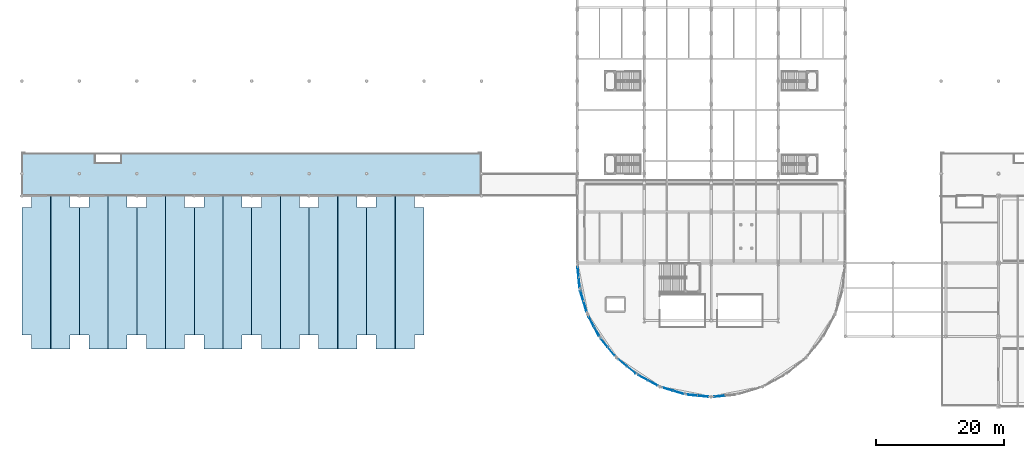
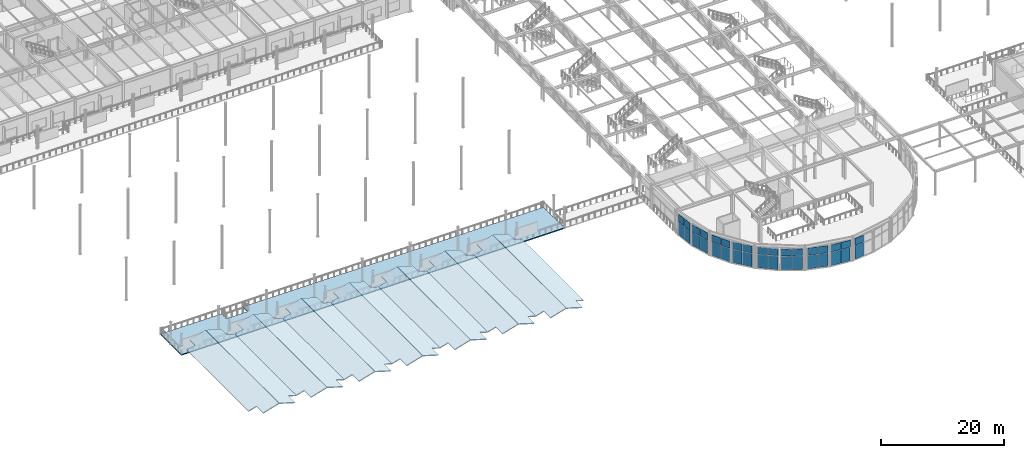
# One storey, part 71 of 143: 34 plates, 15 slabs, 9 elements without a shape of their own.
"""IFC4 building model written with IfcOpenShell, lengths in metres."""

from ifc_helpers import new_model, si_unit, direction, frame, origin, origin_2d, place, context, subcontext, project, spatial, polyline, rectangle, outline, extrude, material, layer, layer_set, type_object, element, aggregate, save


model = new_model("IFC4")

# Units and contexts
model_context = context("Model", 3, precision=1e-05, world=origin(), true_north=direction((0.0, 1.0)))
body_context = subcontext(model_context, "Body", "Model", "MODEL_VIEW")
ifc_project = project(units=[si_unit("LENGTHUNIT", "METRE"), si_unit("AREAUNIT", "SQUARE_METRE"), si_unit("VOLUMEUNIT", "CUBIC_METRE"), si_unit("PLANEANGLEUNIT", "RADIAN"), si_unit("MASSUNIT", "GRAM", prefix="KILO")], contexts=[model_context])

# Site, building, storey
site_placement = place(None, origin())
site = spatial("IfcSite", under=ifc_project, at=site_placement, CompositionType="ELEMENT")
building_placement = place(site_placement, origin())
building = spatial("IfcBuilding", under=site, at=building_placement, Name="Marlcrest Central Station", CompositionType="ELEMENT")
storey_placement = place(building_placement, frame((0.0, 0.0, 4.800048828125)))
storey = spatial("IfcBuildingStorey", under=building, at=storey_placement, Name="L01", CompositionType="ELEMENT", Elevation=4.800048828125)

# Curtain wall, plates
ifc_material_1 = material(Name="Anodised aluminium and hurricane laminated glass", Category="aluminium")
ifc_layer_1 = layer(ifc_material_1, 0.219970703125, Name="CW-U1")
ifc_layer_set_1 = layer_set([ifc_layer_1], Name="Anodised aluminium and hurricane laminated glass")
curtain_wall_type = type_object("IfcCurtainWallType", Name="CW-U1", PredefinedType="USERDEFINED", material=ifc_layer_set_1)
curtain_wall_1_placement = place(storey_placement, origin())
curtain_wall_1 = element("IfcCurtainWall", 1, at=curtain_wall_1_placement, inside=storey, type_object=curtain_wall_type, Name="cw-L01-0009", ObjectType="UNITISED_CURTAIN_WALL", PredefinedType="USERDEFINED")
ifc_material_2 = material(Name="Hurricane laminated solar-control glass", Category="glass")
ifc_layer_2 = layer(ifc_material_2, 0.031982421875, Name="CP-01")
ifc_layer_set_2 = layer_set([ifc_layer_2], Name="Hurricane laminated solar-control glass")
plate_type_1 = type_object("IfcPlateType", Name="CP-01", PredefinedType="CURTAIN_PANEL", material=ifc_layer_set_2)
plate_1_placement = place(storey_placement, frame((87.302490234375, 19.431396484375, 0.080078125), z_axis=(0.0, 0.0, 1.0), x_axis=(-0.098138724349, 0.995172744192, 0.0)))
plate_1 = element("IfcPlate", 2, at=plate_1_placement, type_object=plate_type_1, Name="cw-L01-0009-cp-lo-0", PredefinedType="CURTAIN_PANEL", context=body_context, shape_type="SweptSolid", body=[
    extrude(rectangle(XDim=1.5791015625, YDim=0.031982421875, at=origin_2d()), origin(), (0.0, 0.0, 1.0), 2.675048828125),
])
plate_2_placement = place(storey_placement, frame((87.14013671875, 21.07861328125, 0.080078125), z_axis=(0.0, 0.0, 1.0), x_axis=(-0.098138724349, 0.995172744192, 0.0)))
plate_2 = element("IfcPlate", 3, at=plate_2_placement, type_object=plate_type_1, Name="cw-L01-0009-cp-lo-1", PredefinedType="CURTAIN_PANEL", context=body_context, shape_type="SweptSolid", body=[
    extrude(rectangle(XDim=1.5791015625, YDim=0.031982421875, at=origin_2d()), origin(), (0.0, 0.0, 1.0), 2.675048828125),
])

curtain_wall_2_placement = place(storey_placement, origin())
curtain_wall_2 = element("IfcCurtainWall", 4, at=curtain_wall_2_placement, inside=storey, type_object=curtain_wall_type, Name="cw-L01-0010", ObjectType="UNITISED_CURTAIN_WALL", PredefinedType="USERDEFINED")
plate_3_placement = place(storey_placement, frame((88.227294921875, 15.689453125, 0.080078125), z_axis=(0.0, 0.0, 1.0), x_axis=(-0.290318080597, 0.956930202302, 0.0)))
plate_3 = element("IfcPlate", 5, at=plate_3_placement, type_object=plate_type_1, Name="cw-L01-0010-cp-lo-0", PredefinedType="CURTAIN_PANEL", context=body_context, shape_type="SweptSolid", body=[
    extrude(rectangle(XDim=1.67724609375, YDim=0.031982421875, at=origin_2d()), origin(), (0.0, 0.0, 1.0), 2.675048828125),
])
plate_4_placement = place(storey_placement, frame((87.71826171875, 17.3671875, 0.080078125), z_axis=(0.0, 0.0, 1.0), x_axis=(-0.290318080597, 0.956930202302, 0.0)))
plate_4 = element("IfcPlate", 6, at=plate_4_placement, type_object=plate_type_1, Name="cw-L01-0010-cp-lo-1", PredefinedType="CURTAIN_PANEL", context=body_context, shape_type="SweptSolid", body=[
    extrude(rectangle(XDim=1.67724609375, YDim=0.031982421875, at=origin_2d()), origin(), (0.0, 0.0, 1.0), 2.675048828125),
])

curtain_wall_3_placement = place(storey_placement, origin())
curtain_wall_3 = element("IfcCurtainWall", 7, at=curtain_wall_3_placement, inside=storey, type_object=curtain_wall_type, Name="cw-L01-0011", ObjectType="UNITISED_CURTAIN_WALL", PredefinedType="USERDEFINED")
plate_5_placement = place(storey_placement, frame((90.02880859375, 11.787841796875, 0.080078125), z_axis=(0.0, 0.0, 1.0), x_axis=(-0.471242805349, 0.882003525167, 0.0)))
plate_5 = element("IfcPlate", 8, at=plate_5_placement, type_object=plate_type_1, Name="cw-L01-0011-cp-lo-0", PredefinedType="CURTAIN_PANEL", context=body_context, shape_type="SweptSolid", body=[
    extrude(rectangle(XDim=1.677490234375, YDim=0.031982421875, at=origin_2d()), origin(), (0.0, 0.0, 1.0), 2.675048828125),
])
plate_6_placement = place(storey_placement, frame((89.20263671875, 13.33447265625, 0.080078125), z_axis=(0.0, 0.0, 1.0), x_axis=(-0.471242805349, 0.882003525167, 0.0)))
plate_6 = element("IfcPlate", 9, at=plate_6_placement, type_object=plate_type_1, Name="cw-L01-0011-cp-lo-1", PredefinedType="CURTAIN_PANEL", context=body_context, shape_type="SweptSolid", body=[
    extrude(rectangle(XDim=1.677490234375, YDim=0.031982421875, at=origin_2d()), origin(), (0.0, 0.0, 1.0), 2.675048828125),
])

curtain_wall_4_placement = place(storey_placement, origin())
curtain_wall_4 = element("IfcCurtainWall", 10, at=curtain_wall_4_placement, inside=storey, type_object=curtain_wall_type, Name="cw-L01-0012", ObjectType="UNITISED_CURTAIN_WALL", PredefinedType="USERDEFINED")
plate_7_placement = place(storey_placement, frame((92.33837890625, 8.640869140625, 0.080078125), z_axis=(0.0, 0.0, 1.0), x_axis=(-0.63447423015, 0.772944015615, 0.0)))
plate_7 = element("IfcPlate", 11, at=plate_7_placement, type_object=plate_type_1, Name="cw-L01-0012-cp-lo-0", PredefinedType="CURTAIN_PANEL", context=body_context, shape_type="SweptSolid", body=[
    extrude(rectangle(XDim=1.677490234375, YDim=0.031982421875, at=origin_2d()), origin(), (0.0, 0.0, 1.0), 2.675048828125),
])
plate_8_placement = place(storey_placement, frame((91.225830078125, 9.99609375, 0.080078125), z_axis=(0.0, 0.0, 1.0), x_axis=(-0.63447423015, 0.772944015615, 0.0)))
plate_8 = element("IfcPlate", 12, at=plate_8_placement, type_object=plate_type_1, Name="cw-L01-0012-cp-lo-1", PredefinedType="CURTAIN_PANEL", context=body_context, shape_type="SweptSolid", body=[
    extrude(rectangle(XDim=1.677490234375, YDim=0.031982421875, at=origin_2d()), origin(), (0.0, 0.0, 1.0), 2.675048828125),
])

curtain_wall_5_placement = place(storey_placement, origin())
curtain_wall_5 = element("IfcCurtainWall", 13, at=curtain_wall_5_placement, inside=storey, type_object=curtain_wall_type, Name="cw-L01-0013", ObjectType="UNITISED_CURTAIN_WALL", PredefinedType="USERDEFINED")
plate_9_placement = place(storey_placement, frame((95.49609375, 5.725830078125, 0.080078125), z_axis=(0.0, 0.0, 1.0), x_axis=(-0.772944015615, 0.63447423015, 0.0)))
plate_9 = element("IfcPlate", 14, at=plate_9_placement, type_object=plate_type_1, Name="cw-L01-0013-cp-lo-0", PredefinedType="CURTAIN_PANEL", context=body_context, shape_type="SweptSolid", body=[
    extrude(rectangle(XDim=1.677490234375, YDim=0.031982421875, at=origin_2d()), origin(), (0.0, 0.0, 1.0), 2.675048828125),
])
plate_10_placement = place(storey_placement, frame((94.140869140625, 6.83837890625, 0.080078125), z_axis=(0.0, 0.0, 1.0), x_axis=(-0.772944015615, 0.63447423015, 0.0)))
plate_10 = element("IfcPlate", 15, at=plate_10_placement, type_object=plate_type_1, Name="cw-L01-0013-cp-lo-1", PredefinedType="CURTAIN_PANEL", context=body_context, shape_type="SweptSolid", body=[
    extrude(rectangle(XDim=1.677490234375, YDim=0.031982421875, at=origin_2d()), origin(), (0.0, 0.0, 1.0), 2.675048828125),
])

curtain_wall_6_placement = place(storey_placement, origin())
curtain_wall_6 = element("IfcCurtainWall", 16, at=curtain_wall_6_placement, inside=storey, type_object=curtain_wall_type, Name="cw-L01-0014", ObjectType="UNITISED_CURTAIN_WALL", PredefinedType="USERDEFINED")
plate_11_placement = place(storey_placement, frame((98.83447265625, 3.70263671875, 0.080078125), z_axis=(0.0, 0.0, 1.0), x_axis=(-0.882003525167, 0.471242805349, 0.0)))
plate_11 = element("IfcPlate", 17, at=plate_11_placement, type_object=plate_type_1, Name="cw-L01-0014-cp-lo-0", PredefinedType="CURTAIN_PANEL", context=body_context, shape_type="SweptSolid", body=[
    extrude(rectangle(XDim=1.677490234375, YDim=0.031982421875, at=origin_2d()), origin(), (0.0, 0.0, 1.0), 2.675048828125),
])
plate_12_placement = place(storey_placement, frame((97.287841796875, 4.52880859375, 0.080078125), z_axis=(0.0, 0.0, 1.0), x_axis=(-0.882003525167, 0.471242805349, 0.0)))
plate_12 = element("IfcPlate", 18, at=plate_12_placement, type_object=plate_type_1, Name="cw-L01-0014-cp-lo-1", PredefinedType="CURTAIN_PANEL", context=body_context, shape_type="SweptSolid", body=[
    extrude(rectangle(XDim=1.677490234375, YDim=0.031982421875, at=origin_2d()), origin(), (0.0, 0.0, 1.0), 2.675048828125),
])

curtain_wall_7_placement = place(storey_placement, origin())
curtain_wall_7 = element("IfcCurtainWall", 19, at=curtain_wall_7_placement, inside=storey, type_object=curtain_wall_type, Name="cw-L01-0015", ObjectType="UNITISED_CURTAIN_WALL", PredefinedType="USERDEFINED")
plate_13_placement = place(storey_placement, frame((102.8671875, 2.21826171875, 0.080078125), z_axis=(0.0, 0.0, 1.0), x_axis=(-0.956930202302, 0.290318080597, 0.0)))
plate_13 = element("IfcPlate", 20, at=plate_13_placement, type_object=plate_type_1, Name="cw-L01-0015-cp-lo-0", PredefinedType="CURTAIN_PANEL", context=body_context, shape_type="SweptSolid", body=[
    extrude(rectangle(XDim=1.67724609375, YDim=0.031982421875, at=origin_2d()), origin(), (0.0, 0.0, 1.0), 2.675048828125),
])
plate_14_placement = place(storey_placement, frame((101.189453125, 2.727294921875, 0.080078125), z_axis=(0.0, 0.0, 1.0), x_axis=(-0.956930202302, 0.290318080597, 0.0)))
plate_14 = element("IfcPlate", 21, at=plate_14_placement, type_object=plate_type_1, Name="cw-L01-0015-cp-lo-1", PredefinedType="CURTAIN_PANEL", context=body_context, shape_type="SweptSolid", body=[
    extrude(rectangle(XDim=1.67724609375, YDim=0.031982421875, at=origin_2d()), origin(), (0.0, 0.0, 1.0), 2.675048828125),
])

curtain_wall_8_placement = place(storey_placement, origin())
curtain_wall_8 = element("IfcCurtainWall", 22, at=curtain_wall_8_placement, inside=storey, type_object=curtain_wall_type, Name="cw-L01-0016", ObjectType="UNITISED_CURTAIN_WALL", PredefinedType="USERDEFINED")
plate_15_placement = place(storey_placement, frame((106.725341796875, 1.625732421875, 0.080078125), z_axis=(0.0, 0.0, 1.0), x_axis=(-0.995172744192, 0.098138724349, 0.0)))
plate_15 = element("IfcPlate", 23, at=plate_15_placement, type_object=plate_type_1, Name="cw-L01-0016-cp-lo-0", PredefinedType="CURTAIN_PANEL", context=body_context, shape_type="SweptSolid", body=[
    extrude(rectangle(XDim=1.677490234375, YDim=0.031982421875, at=origin_2d()), origin(), (0.0, 0.0, 1.0), 2.675048828125),
])
plate_16_placement = place(storey_placement, frame((104.98046875, 1.7978515625, 0.080078125), z_axis=(0.0, 0.0, 1.0), x_axis=(-0.995172744192, 0.098138724349, 0.0)))
plate_16 = element("IfcPlate", 24, at=plate_16_placement, type_object=plate_type_1, Name="cw-L01-0016-cp-lo-1", PredefinedType="CURTAIN_PANEL", context=body_context, shape_type="SweptSolid", body=[
    extrude(rectangle(XDim=1.677490234375, YDim=0.031982421875, at=origin_2d()), origin(), (0.0, 0.0, 1.0), 2.675048828125),
])

# Curtain wall, plate
curtain_wall_9_placement = place(storey_placement, origin())
curtain_wall_9 = element("IfcCurtainWall", 25, at=curtain_wall_9_placement, inside=storey, type_object=curtain_wall_type, Name="cw-L01-0017", ObjectType="UNITISED_CURTAIN_WALL", PredefinedType="USERDEFINED")
plate_17_placement = place(storey_placement, frame((109.274658203125, 1.625732421875, 0.080078125), z_axis=(0.0, 0.0, 1.0), x_axis=(-0.995172744192, -0.098138724349, 0.0)))
plate_17 = element("IfcPlate", 26, at=plate_17_placement, type_object=plate_type_1, Name="cw-L01-0017-cp-lo-1", PredefinedType="CURTAIN_PANEL", context=body_context, shape_type="SweptSolid", body=[
    extrude(rectangle(XDim=1.677490234375, YDim=0.031982421875, at=origin_2d()), origin(), (0.0, 0.0, 1.0), 2.675048828125),
])

# Plate
ifc_material_3 = material(Name="Insulated bronze-anodised aluminium spandrel panel", Category="aluminium")
ifc_layer_3 = layer(ifc_material_3, 0.06005859375, Name="CP-04")
ifc_layer_set_3 = layer_set([ifc_layer_3], Name="Insulated bronze-anodised aluminium spandrel panel")
plate_type_2 = type_object("IfcPlateType", Name="CP-04", PredefinedType="CURTAIN_PANEL", material=ifc_layer_set_3)
plate_18_placement = place(storey_placement, frame((92.33837890625, 8.640869140625, 2.8349609375), z_axis=(0.0, 0.0, 1.0), x_axis=(-0.63447423015, 0.772944015615, 0.0)))
plate_18 = element("IfcPlate", 27, at=plate_18_placement, type_object=plate_type_2, Name="cw-L01-0012-cp-hi-0", PredefinedType="CURTAIN_PANEL", context=body_context, shape_type="SweptSolid", body=[
    extrude(rectangle(XDim=1.677490234375, YDim=0.06005859375, at=origin_2d()), origin(), (0.0, 0.0, 1.0), 1.385009765625),
])

plate_19_placement = place(storey_placement, frame((91.225830078125, 9.99609375, 2.8349609375), z_axis=(0.0, 0.0, 1.0), x_axis=(-0.63447423015, 0.772944015615, 0.0)))
plate_19 = element("IfcPlate", 28, at=plate_19_placement, type_object=plate_type_2, Name="cw-L01-0012-cp-hi-1", PredefinedType="CURTAIN_PANEL", context=body_context, shape_type="SweptSolid", body=[
    extrude(rectangle(XDim=1.677490234375, YDim=0.06005859375, at=origin_2d()), origin(), (0.0, 0.0, 1.0), 1.385009765625),
])

aggregate(curtain_wall_4, [plate_7, plate_18, plate_8, plate_19])

ifc_layer_4 = layer(ifc_material_3, 0.050048828125, Name="CP-05")
ifc_layer_set_4 = layer_set([ifc_layer_4], Name="Insulated bronze-anodised aluminium spandrel panel")
plate_type_3 = type_object("IfcPlateType", Name="CP-05", PredefinedType="CURTAIN_PANEL", material=ifc_layer_set_4)
plate_20_placement = place(storey_placement, frame((95.49609375, 5.725830078125, 2.8349609375), z_axis=(0.0, 0.0, 1.0), x_axis=(-0.772944015615, 0.63447423015, 0.0)))
plate_20 = element("IfcPlate", 29, at=plate_20_placement, type_object=plate_type_3, Name="cw-L01-0013-cp-hi-0", PredefinedType="CURTAIN_PANEL", context=body_context, shape_type="SweptSolid", body=[
    extrude(rectangle(XDim=1.677490234375, YDim=0.050048828125, at=origin_2d()), origin(), (0.0, 0.0, 1.0), 1.385009765625),
])

plate_21_placement = place(storey_placement, frame((94.140869140625, 6.83837890625, 2.8349609375), z_axis=(0.0, 0.0, 1.0), x_axis=(-0.772944015615, 0.63447423015, 0.0)))
plate_21 = element("IfcPlate", 30, at=plate_21_placement, type_object=plate_type_3, Name="cw-L01-0013-cp-hi-1", PredefinedType="CURTAIN_PANEL", context=body_context, shape_type="SweptSolid", body=[
    extrude(rectangle(XDim=1.677490234375, YDim=0.050048828125, at=origin_2d()), origin(), (0.0, 0.0, 1.0), 1.385009765625),
])

aggregate(curtain_wall_5, [plate_9, plate_20, plate_10, plate_21])

ifc_material_4 = material(Name="Insulated acoustic spandrel panel")
ifc_layer_5 = layer(ifc_material_4, 0.074951171875, Name="CP-06")
ifc_layer_set_5 = layer_set([ifc_layer_5], Name="Insulated acoustic spandrel panel")
plate_type_4 = type_object("IfcPlateType", Name="CP-06", PredefinedType="CURTAIN_PANEL", material=ifc_layer_set_5)
plate_22_placement = place(storey_placement, frame((98.83447265625, 3.70263671875, 2.8349609375), z_axis=(0.0, 0.0, 1.0), x_axis=(-0.882003525167, 0.471242805349, 0.0)))
plate_22 = element("IfcPlate", 31, at=plate_22_placement, type_object=plate_type_4, Name="cw-L01-0014-cp-hi-0", PredefinedType="CURTAIN_PANEL", context=body_context, shape_type="SweptSolid", body=[
    extrude(rectangle(XDim=1.677490234375, YDim=0.074951171875, at=origin_2d()), origin(), (0.0, 0.0, 1.0), 1.385009765625),
])

plate_23_placement = place(storey_placement, frame((97.287841796875, 4.52880859375, 2.8349609375), z_axis=(0.0, 0.0, 1.0), x_axis=(-0.882003525167, 0.471242805349, 0.0)))
plate_23 = element("IfcPlate", 32, at=plate_23_placement, type_object=plate_type_4, Name="cw-L01-0014-cp-hi-1", PredefinedType="CURTAIN_PANEL", context=body_context, shape_type="SweptSolid", body=[
    extrude(rectangle(XDim=1.677490234375, YDim=0.074951171875, at=origin_2d()), origin(), (0.0, 0.0, 1.0), 1.385009765625),
])

aggregate(curtain_wall_6, [plate_11, plate_22, plate_12, plate_23])

ifc_material_5 = material(Name="Insulated hurricane-rated spandrel panel")
ifc_layer_6 = layer(ifc_material_5, 0.090087890625, Name="CP-07")
ifc_layer_set_6 = layer_set([ifc_layer_6], Name="Insulated hurricane-rated spandrel panel")
plate_type_5 = type_object("IfcPlateType", Name="CP-07", PredefinedType="CURTAIN_PANEL", material=ifc_layer_set_6)
plate_24_placement = place(storey_placement, frame((87.302490234375, 19.431396484375, 2.8349609375), z_axis=(0.0, 0.0, 1.0), x_axis=(-0.098138724349, 0.995172744192, 0.0)))
plate_24 = element("IfcPlate", 33, at=plate_24_placement, type_object=plate_type_5, Name="cw-L01-0009-cp-hi-0", PredefinedType="CURTAIN_PANEL", context=body_context, shape_type="SweptSolid", body=[
    extrude(rectangle(XDim=1.5791015625, YDim=0.090087890625, at=origin_2d()), origin(), (0.0, 0.0, 1.0), 1.385009765625),
])

plate_25_placement = place(storey_placement, frame((87.14013671875, 21.07861328125, 2.8349609375), z_axis=(0.0, 0.0, 1.0), x_axis=(-0.098138724349, 0.995172744192, 0.0)))
plate_25 = element("IfcPlate", 34, at=plate_25_placement, type_object=plate_type_5, Name="cw-L01-0009-cp-hi-1", PredefinedType="CURTAIN_PANEL", context=body_context, shape_type="SweptSolid", body=[
    extrude(rectangle(XDim=1.5791015625, YDim=0.090087890625, at=origin_2d()), origin(), (0.0, 0.0, 1.0), 1.385009765625),
])

aggregate(curtain_wall_1, [plate_1, plate_24, plate_2, plate_25])

plate_26_placement = place(storey_placement, frame((102.8671875, 2.21826171875, 2.8349609375), z_axis=(0.0, 0.0, 1.0), x_axis=(-0.956930202302, 0.290318080597, 0.0)))
plate_26 = element("IfcPlate", 35, at=plate_26_placement, type_object=plate_type_5, Name="cw-L01-0015-cp-hi-0", PredefinedType="CURTAIN_PANEL", context=body_context, shape_type="SweptSolid", body=[
    extrude(rectangle(XDim=1.67724609375, YDim=0.090087890625, at=origin_2d()), origin(), (0.0, 0.0, 1.0), 1.385009765625),
])

plate_27_placement = place(storey_placement, frame((101.189453125, 2.727294921875, 2.8349609375), z_axis=(0.0, 0.0, 1.0), x_axis=(-0.956930202302, 0.290318080597, 0.0)))
plate_27 = element("IfcPlate", 36, at=plate_27_placement, type_object=plate_type_5, Name="cw-L01-0015-cp-hi-1", PredefinedType="CURTAIN_PANEL", context=body_context, shape_type="SweptSolid", body=[
    extrude(rectangle(XDim=1.67724609375, YDim=0.090087890625, at=origin_2d()), origin(), (0.0, 0.0, 1.0), 1.385009765625),
])

aggregate(curtain_wall_7, [plate_13, plate_26, plate_14, plate_27])

ifc_material_6 = material(Name="Insulated shadow-box spandrel panel")
ifc_layer_7 = layer(ifc_material_6, 0.10498046875, Name="CP-08")
ifc_layer_set_7 = layer_set([ifc_layer_7], Name="Insulated shadow-box spandrel panel")
plate_type_6 = type_object("IfcPlateType", Name="CP-08", PredefinedType="CURTAIN_PANEL", material=ifc_layer_set_7)
plate_28_placement = place(storey_placement, frame((88.227294921875, 15.689453125, 2.8349609375), z_axis=(0.0, 0.0, 1.0), x_axis=(-0.290318080597, 0.956930202302, 0.0)))
plate_28 = element("IfcPlate", 37, at=plate_28_placement, type_object=plate_type_6, Name="cw-L01-0010-cp-hi-0", PredefinedType="CURTAIN_PANEL", context=body_context, shape_type="SweptSolid", body=[
    extrude(rectangle(XDim=1.67724609375, YDim=0.10498046875, at=origin_2d()), origin(), (0.0, 0.0, 1.0), 1.385009765625),
])

plate_29_placement = place(storey_placement, frame((87.71826171875, 17.3671875, 2.8349609375), z_axis=(0.0, 0.0, 1.0), x_axis=(-0.290318080597, 0.956930202302, 0.0)))
plate_29 = element("IfcPlate", 38, at=plate_29_placement, type_object=plate_type_6, Name="cw-L01-0010-cp-hi-1", PredefinedType="CURTAIN_PANEL", context=body_context, shape_type="SweptSolid", body=[
    extrude(rectangle(XDim=1.67724609375, YDim=0.10498046875, at=origin_2d()), origin(), (0.0, 0.0, 1.0), 1.385009765625),
])

aggregate(curtain_wall_2, [plate_3, plate_28, plate_4, plate_29])

plate_30_placement = place(storey_placement, frame((106.725341796875, 1.625732421875, 2.8349609375), z_axis=(0.0, 0.0, 1.0), x_axis=(-0.995172744192, 0.098138724349, 0.0)))
plate_30 = element("IfcPlate", 39, at=plate_30_placement, type_object=plate_type_6, Name="cw-L01-0016-cp-hi-0", PredefinedType="CURTAIN_PANEL", context=body_context, shape_type="SweptSolid", body=[
    extrude(rectangle(XDim=1.677490234375, YDim=0.10498046875, at=origin_2d()), origin(), (0.0, 0.0, 1.0), 1.385009765625),
])

plate_31_placement = place(storey_placement, frame((104.98046875, 1.7978515625, 2.8349609375), z_axis=(0.0, 0.0, 1.0), x_axis=(-0.995172744192, 0.098138724349, 0.0)))
plate_31 = element("IfcPlate", 40, at=plate_31_placement, type_object=plate_type_6, Name="cw-L01-0016-cp-hi-1", PredefinedType="CURTAIN_PANEL", context=body_context, shape_type="SweptSolid", body=[
    extrude(rectangle(XDim=1.677490234375, YDim=0.10498046875, at=origin_2d()), origin(), (0.0, 0.0, 1.0), 1.385009765625),
])

aggregate(curtain_wall_8, [plate_15, plate_30, plate_16, plate_31])

ifc_material_7 = material(Name="Insulated fire-safing spandrel panel")
ifc_layer_8 = layer(ifc_material_7, 0.1201171875, Name="CP-09")
ifc_layer_set_8 = layer_set([ifc_layer_8], Name="Insulated fire-safing spandrel panel")
plate_type_7 = type_object("IfcPlateType", Name="CP-09", PredefinedType="CURTAIN_PANEL", material=ifc_layer_set_8)
plate_32_placement = place(storey_placement, frame((90.02880859375, 11.787841796875, 2.8349609375), z_axis=(0.0, 0.0, 1.0), x_axis=(-0.471242805349, 0.882003525167, 0.0)))
plate_32 = element("IfcPlate", 41, at=plate_32_placement, type_object=plate_type_7, Name="cw-L01-0011-cp-hi-0", PredefinedType="CURTAIN_PANEL", context=body_context, shape_type="SweptSolid", body=[
    extrude(rectangle(XDim=1.677490234375, YDim=0.1201171875, at=origin_2d()), origin(), (0.0, 0.0, 1.0), 1.385009765625),
])

plate_33_placement = place(storey_placement, frame((89.20263671875, 13.33447265625, 2.8349609375), z_axis=(0.0, 0.0, 1.0), x_axis=(-0.471242805349, 0.882003525167, 0.0)))
plate_33 = element("IfcPlate", 42, at=plate_33_placement, type_object=plate_type_7, Name="cw-L01-0011-cp-hi-1", PredefinedType="CURTAIN_PANEL", context=body_context, shape_type="SweptSolid", body=[
    extrude(rectangle(XDim=1.677490234375, YDim=0.1201171875, at=origin_2d()), origin(), (0.0, 0.0, 1.0), 1.385009765625),
])

aggregate(curtain_wall_3, [plate_5, plate_32, plate_6, plate_33])

plate_34_placement = place(storey_placement, frame((109.274658203125, 1.625732421875, 2.8349609375), z_axis=(0.0, 0.0, 1.0), x_axis=(-0.995172744192, -0.098138724349, 0.0)))
plate_34 = element("IfcPlate", 43, at=plate_34_placement, type_object=plate_type_7, Name="cw-L01-0017-cp-hi-1", PredefinedType="CURTAIN_PANEL", context=body_context, shape_type="SweptSolid", body=[
    extrude(rectangle(XDim=1.677490234375, YDim=0.1201171875, at=origin_2d()), origin(), (0.0, 0.0, 1.0), 1.385009765625),
])

aggregate(curtain_wall_9, [plate_17, plate_34])

# Slabs
ifc_material_8 = material(Name="Concrete C35/45", Category="concrete")
ifc_layer_9 = layer(ifc_material_8, 0.18994140625, Name="FS-02")
ifc_layer_set_9 = layer_set([ifc_layer_9], Name="Concrete C35/45")
slab_type_1 = type_object("IfcSlabType", Name="FS-02", PredefinedType="FLOOR", material=ifc_layer_set_9)
slab_1_placement = place(storey_placement, frame((0.0, 0.0, -0.18994140625)))
element("IfcSlab", 44, at=slab_1_placement, inside=storey, type_object=slab_type_1, Name="slab-L01-0084", PredefinedType="FLOOR", context=body_context, shape_type="SweptSolid", body=[
    extrude(outline(polyline([(0.0, 33.0), (72.0, 33.0), (72.0, 39.800048828125), (15.5, 39.800048828125), (15.5, 38.199951171875), (11.5, 38.199951171875), (11.5, 39.800048828125), (0.0, 39.800048828125), (0.0, 33.0)])), origin(), (0.0, 0.0, 1.0), 0.18994140625),
])
ifc_material_9 = material(Name="Concrete C40/50", Category="concrete")
ifc_layer_10 = layer(ifc_material_9, 0.14794921875, Name="RS-02")
ifc_layer_set_10 = layer_set([ifc_layer_10], Name="Concrete C40/50")
slab_type_2 = type_object("IfcSlabType", Name="RS-02", PredefinedType="ROOF", material=ifc_layer_set_10)
slab_2_placement = place(storey_placement, frame((0.0, 11.199951171875, 2.0), z_axis=(-0.287349576164, 0.0, 0.95782577804), x_axis=(0.95782577804, 0.0, 0.287349576164)))
element("IfcSlab", 45, at=slab_2_placement, inside=storey, type_object=slab_type_2, Name="slab-v3-w-0", PredefinedType="ROOF", context=body_context, shape_type="SweptSolid", body=[
    extrude(outline(polyline([(0.0, 0.0), (1.5660319455931195, 0.0), (1.5660319455931195, -2.199951171875), (4.677236924760991, -2.199951171875), (4.677236924760991, 21.800048828125), (1.5660319455931195, 21.800048828125), (1.5660319455931195, 20.0), (0.0, 20.0), (0.0, 0.0)])), origin(), (0.0, 0.0, -1.0), 0.159912109375),
])
slab_3_placement = place(storey_placement, frame((4.52001953125, 9.0, 3.343994140625), z_axis=(0.287349576164, 0.0, 0.95782577804), x_axis=(0.95782577804, 0.0, -0.287349576164)))
element("IfcSlab", 46, at=slab_3_placement, inside=storey, type_object=slab_type_2, Name="slab-v3-e-0", PredefinedType="ROOF", context=body_context, shape_type="SweptSolid", body=[
    extrude(outline(polyline([(0.0, 0.0), (3.111204979167871, 0.0), (3.111204979167871, 2.199951171875), (4.677236924760991, 2.199951171875), (4.677236924760991, 22.199951171875), (3.111204979167871, 22.199951171875), (3.111204979167871, 24.0), (0.0, 24.0), (0.0, 0.0)])), origin(), (0.0, 0.0, -1.0), 0.159912109375),
])
slab_4_placement = place(storey_placement, frame((9.0, 11.199951171875, 2.0), z_axis=(-0.287349576164, 0.0, 0.95782577804), x_axis=(0.95782577804, 0.0, 0.287349576164)))
element("IfcSlab", 47, at=slab_4_placement, inside=storey, type_object=slab_type_2, Name="slab-v3-w-9", PredefinedType="ROOF", context=body_context, shape_type="SweptSolid", body=[
    extrude(outline(polyline([(0.0, 0.0), (1.5660319455931195, 0.0), (1.5660319455931195, -2.199951171875), (4.677236924760991, -2.199951171875), (4.677236924760991, 21.800048828125), (1.5660319455931195, 21.800048828125), (1.5660319455931195, 20.0), (0.0, 20.0), (0.0, 0.0)])), origin(), (0.0, 0.0, -1.0), 0.159912109375),
])
slab_5_placement = place(storey_placement, frame((13.52001953125, 9.0, 3.343994140625), z_axis=(0.287349576164, 0.0, 0.95782577804), x_axis=(0.95782577804, 0.0, -0.287349576164)))
element("IfcSlab", 48, at=slab_5_placement, inside=storey, type_object=slab_type_2, Name="slab-v3-e-9", PredefinedType="ROOF", context=body_context, shape_type="SweptSolid", body=[
    extrude(outline(polyline([(0.0, 0.0), (3.111204979167871, 0.0), (3.111204979167871, 2.199951171875), (4.677236924760991, 2.199951171875), (4.677236924760991, 22.199951171875), (3.111204979167871, 22.199951171875), (3.111204979167871, 24.0), (0.0, 24.0), (0.0, 0.0)])), origin(), (0.0, 0.0, -1.0), 0.159912109375),
])
slab_6_placement = place(storey_placement, frame((18.0, 11.199951171875, 2.0), z_axis=(-0.287349576164, 0.0, 0.95782577804), x_axis=(0.95782577804, 0.0, 0.287349576164)))
element("IfcSlab", 49, at=slab_6_placement, inside=storey, type_object=slab_type_2, Name="slab-v3-w-18", PredefinedType="ROOF", context=body_context, shape_type="SweptSolid", body=[
    extrude(outline(polyline([(0.0, 0.0), (1.5660319455931195, 0.0), (1.5660319455931195, -2.199951171875), (4.677236924760991, -2.199951171875), (4.677236924760991, 21.800048828125), (1.5660319455931195, 21.800048828125), (1.5660319455931195, 20.0), (0.0, 20.0), (0.0, 0.0)])), origin(), (0.0, 0.0, -1.0), 0.159912109375),
])
slab_7_placement = place(storey_placement, frame((22.52001953125, 9.0, 3.343994140625), z_axis=(0.287349576164, 0.0, 0.95782577804), x_axis=(0.95782577804, 0.0, -0.287349576164)))
element("IfcSlab", 50, at=slab_7_placement, inside=storey, type_object=slab_type_2, Name="slab-v3-e-18", PredefinedType="ROOF", context=body_context, shape_type="SweptSolid", body=[
    extrude(outline(polyline([(0.0, 0.0), (3.111204979167871, 0.0), (3.111204979167871, 2.199951171875), (4.677236924760991, 2.199951171875), (4.677236924760991, 22.199951171875), (3.111204979167871, 22.199951171875), (3.111204979167871, 24.0), (0.0, 24.0), (0.0, 0.0)])), origin(), (0.0, 0.0, -1.0), 0.159912109375),
])
slab_8_placement = place(storey_placement, frame((27.0, 11.199951171875, 2.0), z_axis=(-0.287349576164, 0.0, 0.95782577804), x_axis=(0.95782577804, 0.0, 0.287349576164)))
element("IfcSlab", 51, at=slab_8_placement, inside=storey, type_object=slab_type_2, Name="slab-v3-w-27", PredefinedType="ROOF", context=body_context, shape_type="SweptSolid", body=[
    extrude(outline(polyline([(0.0, 0.0), (1.5660319455931195, 0.0), (1.5660319455931195, -2.199951171875), (4.677236924760991, -2.199951171875), (4.677236924760991, 21.800048828125), (1.5660319455931195, 21.800048828125), (1.5660319455931195, 20.0), (0.0, 20.0), (0.0, 0.0)])), origin(), (0.0, 0.0, -1.0), 0.159912109375),
])
slab_9_placement = place(storey_placement, frame((31.52001953125, 9.0, 3.343994140625), z_axis=(0.287349576164, 0.0, 0.95782577804), x_axis=(0.95782577804, 0.0, -0.287349576164)))
element("IfcSlab", 52, at=slab_9_placement, inside=storey, type_object=slab_type_2, Name="slab-v3-e-27", PredefinedType="ROOF", context=body_context, shape_type="SweptSolid", body=[
    extrude(outline(polyline([(0.0, 0.0), (3.111204979167871, 0.0), (3.111204979167871, 2.199951171875), (4.677236924760991, 2.199951171875), (4.677236924760991, 22.199951171875), (3.111204979167871, 22.199951171875), (3.111204979167871, 24.0), (0.0, 24.0), (0.0, 0.0)])), origin(), (0.0, 0.0, -1.0), 0.159912109375),
])
slab_10_placement = place(storey_placement, frame((36.0, 11.199951171875, 2.0), z_axis=(-0.287349576164, 0.0, 0.95782577804), x_axis=(0.95782577804, 0.0, 0.287349576164)))
element("IfcSlab", 53, at=slab_10_placement, inside=storey, type_object=slab_type_2, Name="slab-v3-w-36", PredefinedType="ROOF", context=body_context, shape_type="SweptSolid", body=[
    extrude(outline(polyline([(0.0, 0.0), (1.5660319455931195, 0.0), (1.5660319455931195, -2.199951171875), (4.677236924760991, -2.199951171875), (4.677236924760991, 21.800048828125), (1.5660319455931195, 21.800048828125), (1.5660319455931195, 20.0), (0.0, 20.0), (0.0, 0.0)])), origin(), (0.0, 0.0, -1.0), 0.159912109375),
])
slab_11_placement = place(storey_placement, frame((40.52001953125, 9.0, 3.343994140625), z_axis=(0.287349576164, 0.0, 0.95782577804), x_axis=(0.95782577804, 0.0, -0.287349576164)))
element("IfcSlab", 54, at=slab_11_placement, inside=storey, type_object=slab_type_2, Name="slab-v3-e-36", PredefinedType="ROOF", context=body_context, shape_type="SweptSolid", body=[
    extrude(outline(polyline([(0.0, 0.0), (3.111204979167871, 0.0), (3.111204979167871, 2.199951171875), (4.677236924760991, 2.199951171875), (4.677236924760991, 22.199951171875), (3.111204979167871, 22.199951171875), (3.111204979167871, 24.0), (0.0, 24.0), (0.0, 0.0)])), origin(), (0.0, 0.0, -1.0), 0.159912109375),
])
slab_12_placement = place(storey_placement, frame((45.0, 11.199951171875, 2.0), z_axis=(-0.287349576164, 0.0, 0.95782577804), x_axis=(0.95782577804, 0.0, 0.287349576164)))
element("IfcSlab", 55, at=slab_12_placement, inside=storey, type_object=slab_type_2, Name="slab-v3-w-45", PredefinedType="ROOF", context=body_context, shape_type="SweptSolid", body=[
    extrude(outline(polyline([(0.0, 0.0), (1.5660319455931195, 0.0), (1.5660319455931195, -2.199951171875), (4.677236924760991, -2.199951171875), (4.677236924760991, 21.800048828125), (1.5660319455931195, 21.800048828125), (1.5660319455931195, 20.0), (0.0, 20.0), (0.0, 0.0)])), origin(), (0.0, 0.0, -1.0), 0.159912109375),
])
slab_13_placement = place(storey_placement, frame((49.52001953125, 9.0, 3.343994140625), z_axis=(0.287349576164, 0.0, 0.95782577804), x_axis=(0.95782577804, 0.0, -0.287349576164)))
element("IfcSlab", 56, at=slab_13_placement, inside=storey, type_object=slab_type_2, Name="slab-v3-e-45", PredefinedType="ROOF", context=body_context, shape_type="SweptSolid", body=[
    extrude(outline(polyline([(0.0, 0.0), (3.111204979167871, 0.0), (3.111204979167871, 2.199951171875), (4.677236924760991, 2.199951171875), (4.677236924760991, 22.199951171875), (3.111204979167871, 22.199951171875), (3.111204979167871, 24.0), (0.0, 24.0), (0.0, 0.0)])), origin(), (0.0, 0.0, -1.0), 0.159912109375),
])
slab_14_placement = place(storey_placement, frame((54.0, 11.199951171875, 2.0), z_axis=(-0.287349576164, 0.0, 0.95782577804), x_axis=(0.95782577804, 0.0, 0.287349576164)))
element("IfcSlab", 57, at=slab_14_placement, inside=storey, type_object=slab_type_2, Name="slab-v3-w-54", PredefinedType="ROOF", context=body_context, shape_type="SweptSolid", body=[
    extrude(outline(polyline([(0.0, 0.0), (1.5660319455931195, 0.0), (1.5660319455931195, -2.199951171875), (4.677236924760991, -2.199951171875), (4.677236924760991, 21.800048828125), (1.5660319455931195, 21.800048828125), (1.5660319455931195, 20.0), (0.0, 20.0), (0.0, 0.0)])), origin(), (0.0, 0.0, -1.0), 0.159912109375),
])
slab_15_placement = place(storey_placement, frame((58.52001953125, 9.0, 3.343994140625), z_axis=(0.287349576164, 0.0, 0.95782577804), x_axis=(0.95782577804, 0.0, -0.287349576164)))
element("IfcSlab", 58, at=slab_15_placement, inside=storey, type_object=slab_type_2, Name="slab-v3-e-54", PredefinedType="ROOF", context=body_context, shape_type="SweptSolid", body=[
    extrude(outline(polyline([(0.0, 0.0), (3.111204979167871, 0.0), (3.111204979167871, 2.199951171875), (4.677236924760991, 2.199951171875), (4.677236924760991, 22.199951171875), (3.111204979167871, 22.199951171875), (3.111204979167871, 24.0), (0.0, 24.0), (0.0, 0.0)])), origin(), (0.0, 0.0, -1.0), 0.159912109375),
])

save(model, "model.ifc")
